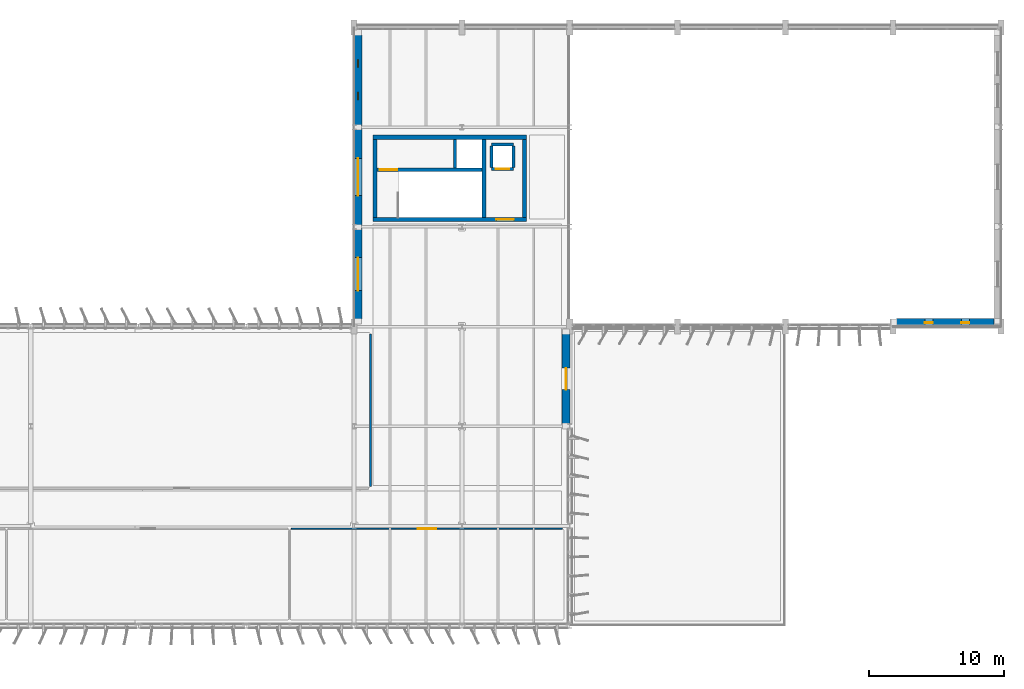
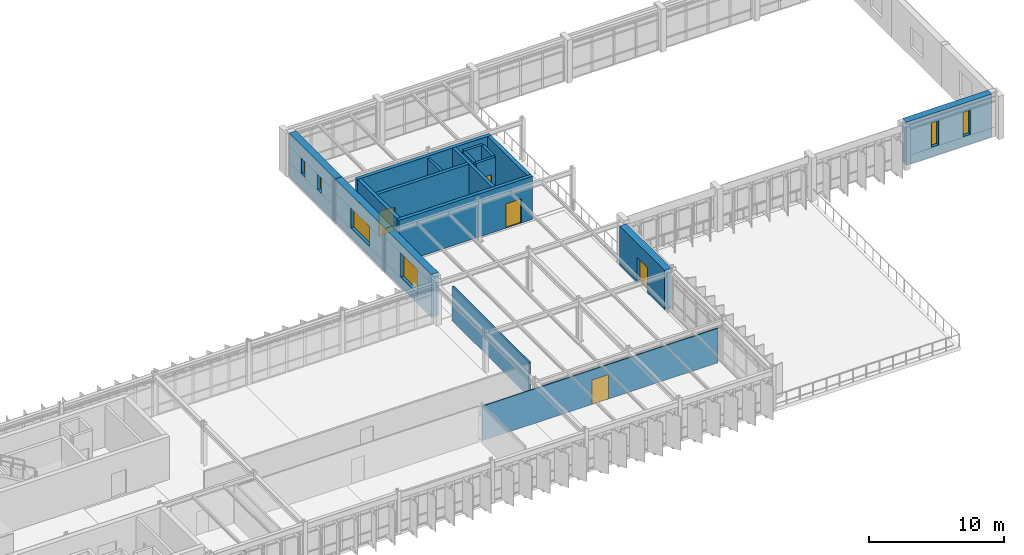
# One storey, part 34 of 45: 18 walls, 6 windows, 5 doors, 11 openings.
"""IFC4 building model written with IfcOpenShell, lengths in metres."""

import ifcopenshell
import ifcopenshell.guid

model = None  # the IFC model being written
_history = None  # IfcOwnerHistory: only IFC2X3 demands one
_inside = {}  # id of a spatial element -> (the spatial element, [elements in it])
_under = {}  # id of a project, library or spatial element -> (it, [spatial elements below it])
_declared = {}  # id of a project -> (the project, [libraries it declares])
_typed = {}  # id of a type object -> (the type object, [elements of that type])
_made_of = {}  # id of a material, layer set ... -> (it, [elements and type objects made of it])


def new_model(schema):
    """Start an empty IFC model of exactly this schema.

    Asked for "IFC4X3", IfcOpenShell would pick the latest addendum, in which some entities
    have other attributes; the version numbers below select the first issue.
    IFC2X3 requires an IfcOwnerHistory on every rooted entity: one is made here for all.
    """
    global model, _history
    if schema == "IFC4X3":
        model = ifcopenshell.file(schema_version=(4, 3, 0, 0))
    else:
        model = ifcopenshell.file(schema=schema)
    _inside.clear()
    _under.clear()
    _declared.clear()
    _typed.clear()
    _made_of.clear()
    _history = None
    if model.schema == "IFC2X3":
        org = make("IfcOrganization", Name="unknown")
        user = make(
            "IfcPersonAndOrganization",
            ThePerson=make("IfcPerson", FamilyName="unknown"),
            TheOrganization=org,
        )
        app = make(
            "IfcApplication",
            ApplicationDeveloper=org,
            Version="unknown",
            ApplicationFullName="unknown",
            ApplicationIdentifier="unknown",
        )
        _history = make(
            "IfcOwnerHistory",
            OwningUser=user,
            OwningApplication=app,
            ChangeAction="ADDED",
            CreationDate=0,
        )
    return model


def make(cls, **values):
    """One entity of the class cls with the attributes given. An attribute that is None is left unset."""
    return model.create_entity(
        cls, **{name: value for name, value in values.items() if value is not None}
    )


def rooted(cls, **values):
    """An entity with a GlobalId (a new one), such as an element, a storey or a relation."""
    return make(cls, GlobalId=ifcopenshell.guid.new(), OwnerHistory=_history, **values)


def si_unit(unit_type, name, prefix=None):
    """IfcSIUnit, for example si_unit("LENGTHUNIT", "METRE", prefix="MILLI")."""
    return make("IfcSIUnit", UnitType=unit_type, Prefix=prefix, Name=name)


def assignment(units):
    """IfcUnitAssignment: the units of a project."""
    return None if units is None else make("IfcUnitAssignment", Units=units)


def point(xyz):
    """IfcCartesianPoint."""
    return None if xyz is None else make("IfcCartesianPoint", Coordinates=xyz)


def direction(xyz):
    """IfcDirection."""
    return None if xyz is None else make("IfcDirection", DirectionRatios=xyz)


def frame(location, z_axis=None, x_axis=None):
    """IfcAxis2Placement3D, a coordinate frame: its origin and axes. An axis left out is left unset."""
    return make(
        "IfcAxis2Placement3D",
        Location=point(location),
        Axis=direction(z_axis),
        RefDirection=direction(x_axis),
    )


def frame_2d(location, x_axis=None):
    """IfcAxis2Placement2D, a coordinate frame in the plane: its origin and x axis."""
    return make(
        "IfcAxis2Placement2D", Location=point(location), RefDirection=direction(x_axis)
    )


def origin():
    """The frame at (0, 0, 0) with its axes left unset."""
    return frame((0.0, 0.0, 0.0))


def place(relative_to, where):
    """IfcLocalPlacement: puts the frame where relative to a parent placement (None: the world)."""
    return make(
        "IfcLocalPlacement", PlacementRelTo=relative_to, RelativePlacement=where
    )


def context(
    kind, dimensions, precision=None, world=None, true_north=None, identifier=None
):
    """IfcGeometricRepresentationContext, for example the 3D "Model" context."""
    return make(
        "IfcGeometricRepresentationContext",
        ContextIdentifier=identifier,
        ContextType=kind,
        CoordinateSpaceDimension=dimensions,
        Precision=precision,
        WorldCoordinateSystem=world,
        TrueNorth=true_north,
    )


def subcontext(parent, identifier, kind, view, scale=None):
    """IfcGeometricRepresentationSubContext, for example "Body" below "Model"."""
    return make(
        "IfcGeometricRepresentationSubContext",
        ContextIdentifier=identifier,
        ContextType=kind,
        ParentContext=parent,
        TargetScale=scale,
        TargetView=view,
    )


def project(units=None, contexts=None):
    """IfcProject with its units and contexts."""
    return rooted(
        "IfcProject",
        Name="project",
        RepresentationContexts=contexts,
        UnitsInContext=assignment(units),
    )


def spatial(cls, under=None, at=None, **own):
    """A site, building, storey or space (cls), placed at a placement, below another one or the project."""
    s = rooted(cls, ObjectPlacement=at, **own)
    if under is not None:
        _under.setdefault(under.id(), (under, []))[1].append(s)
    return s


def profile(cls, at=None, kind="AREA", **sizes):
    """A parametric profile (cls). Its sizes go by their IFC names, for example OverallWidth=200.0."""
    return make(cls, ProfileType=kind, Position=at, **sizes)


def rectangle(**sizes):
    """IfcRectangleProfileDef."""
    return profile("IfcRectangleProfileDef", **sizes)


def extrude(swept, where, along, depth):
    """IfcExtrudedAreaSolid: the profile swept, set in the frame where, extruded along a direction by depth."""
    return make(
        "IfcExtrudedAreaSolid",
        SweptArea=swept,
        Position=where,
        ExtrudedDirection=direction(along),
        Depth=depth,
    )


def shape(context_of_items, identifier, shape_type, items):
    """IfcShapeRepresentation: the items that make up one representation, for example the "Body"."""
    return make(
        "IfcShapeRepresentation",
        ContextOfItems=context_of_items,
        RepresentationIdentifier=identifier,
        RepresentationType=shape_type,
        Items=items,
    )


def material(Name=None, Category=None):
    """IfcMaterial."""
    return make("IfcMaterial", Name=Name, Category=Category)


def layer(
    of_material, thickness, ventilated=None, Name=None, Category=None, Priority=None
):
    """IfcMaterialLayer: one layer of a wall or slab, of a material (None: an air gap)."""
    return make(
        "IfcMaterialLayer",
        Material=of_material,
        LayerThickness=thickness,
        IsVentilated=ventilated,
        Name=Name,
        Category=Category,
        Priority=Priority,
    )


def layer_set(layers, Name=None):
    """IfcMaterialLayerSet."""
    return make("IfcMaterialLayerSet", MaterialLayers=layers, LayerSetName=Name)


def made_of(thing, what):
    """Note that an element or type object is made of a material, layer set ...; save() writes the relation."""
    if what is not None:
        _made_of.setdefault(what.id(), (what, []))[1].append(thing)
    return thing


def type_object(cls, material=None, **own):
    """A type object (cls), such as IfcWallType, which elements share."""
    return made_of(rooted(cls, **own), material)


def element(
    cls,
    number,
    at=None,
    inside=None,
    cuts=None,
    type_object=None,
    material=None,
    context=None,
    identifier="Body",
    shape_type=None,
    held_by="IfcProductDefinitionShape",
    body=None,
    shapes=None,
    **own,
):
    """One element of the class cls, such as IfcWall. Its Tag is "e" and its number.

    at: its placement. inside: the storey or other place that contains it. cuts: it is an
    opening in that element (IfcRelVoidsElement). A single representation is given by context,
    identifier, shape_type and body (its items); several are given by shapes. held_by: the class
    of the entity that holds the representations. save() writes the other relations.
    """
    e = rooted(cls, Tag="e%d" % number, ObjectPlacement=at, **own)
    if body is not None:
        shapes = [shape(context, identifier, shape_type, body)]
    if shapes is not None:
        e.Representation = make(held_by, Representations=shapes)
    if inside is not None:
        _inside.setdefault(inside.id(), (inside, []))[1].append(e)
    if cuts is not None:
        rooted(
            "IfcRelVoidsElement", RelatingBuildingElement=cuts, RelatedOpeningElement=e
        )
    if type_object is not None:
        _typed.setdefault(type_object.id(), (type_object, []))[1].append(e)
    return made_of(e, material)


def fill(opening, filler):
    """IfcRelFillsElement: the door or window that sits in an opening."""
    return rooted(
        "IfcRelFillsElement",
        RelatingOpeningElement=opening,
        RelatedBuildingElement=filler,
    )


def aggregate(whole, parts):
    """IfcRelAggregates: a whole, such as a stair, and the parts it consists of."""
    return rooted("IfcRelAggregates", RelatingObject=whole, RelatedObjects=parts)


def save(model, path):
    """Write the relations noted so far, then the file.

    IfcRelAggregates (storeys below a building ...), IfcRelContainedInSpatialStructure (elements
    in a storey), IfcRelDefinesByType, IfcRelAssociatesMaterial and IfcRelDeclares: one each for
    every whole, place, type object, material and project.
    """
    for whole, parts in _under.values():
        aggregate(whole, parts)
    for where, things in _inside.values():
        rooted(
            "IfcRelContainedInSpatialStructure",
            RelatedElements=things,
            RelatingStructure=where,
        )
    for kind, things in _typed.values():
        rooted("IfcRelDefinesByType", RelatedObjects=things, RelatingType=kind)
    for what, things in _made_of.values():
        rooted("IfcRelAssociatesMaterial", RelatedObjects=things, RelatingMaterial=what)
    for by, libraries in _declared.values():
        rooted("IfcRelDeclares", RelatingContext=by, RelatedDefinitions=libraries)
    model.write(path)


model = new_model("IFC4")

# Units and contexts
model_context = context("Model", 3, precision=1e-05, world=origin(), true_north=direction((0.0, 1.0)))
body_context = subcontext(model_context, "Body", "Model", "MODEL_VIEW")
ifc_project = project(units=[si_unit("LENGTHUNIT", "METRE"), si_unit("AREAUNIT", "SQUARE_METRE"), si_unit("VOLUMEUNIT", "CUBIC_METRE"), si_unit("PLANEANGLEUNIT", "RADIAN"), si_unit("MASSUNIT", "GRAM", prefix="KILO")], contexts=[model_context])

# Site, building, storey
site_placement = place(None, origin())
site = spatial("IfcSite", under=ifc_project, at=site_placement, CompositionType="ELEMENT")
building_placement = place(site_placement, origin())
building = spatial("IfcBuilding", under=site, at=building_placement, Name="Valkorina Park Police Headquarters", CompositionType="ELEMENT")
storey_placement = place(building_placement, frame((0.0, 0.0, 23.300048828125)))
storey = spatial("IfcBuildingStorey", under=building, at=storey_placement, Name="L06", CompositionType="ELEMENT", Elevation=23.300048828125)

# Wall
ifc_material_1 = material(Name="Acoustic mineral board")
ifc_layer_1 = layer(ifc_material_1, 0.14990234375)
ifc_layer_set_1 = layer_set([ifc_layer_1], Name="Acoustic mineral board")
wall_type_1 = type_object("IfcWallType", Name="WL-ACOUST-150-EI30", PredefinedType="PARTITIONING", material=ifc_layer_set_1)
wall_1_placement = place(storey_placement, frame((82.0, 47.340087890625, 0.0), z_axis=(0.0, 0.0, 1.0), x_axis=(0.0, 1.0, 0.0)))
element("IfcWall", 1, at=wall_1_placement, inside=storey, type_object=wall_type_1, Name="L06 Interior Partition 0256 (L06-MAJ-06)", PredefinedType="PARTITIONING", context=body_context, shape_type="SweptSolid", body=[
    extrude(rectangle(XDim=11.31982421875, YDim=0.14990234375, at=frame_2d((5.659912109375, 0.0))), origin(), (0.0, 0.0, 1.0), 3.099853515625),
])

# Wall, opening, door
ifc_material_2 = material(Name="Autoclaved aerated concrete masonry", Category="masonry")
ifc_layer_2 = layer(ifc_material_2, 0.219970703125)
ifc_layer_set_2 = layer_set([ifc_layer_2], Name="Autoclaved aerated concrete masonry")
wall_type_2 = type_object("IfcWallType", Name="WL-CHASE-220-EI60", PredefinedType="PLUMBINGWALL", material=ifc_layer_set_2)
wall_2_placement = place(storey_placement, frame((90.989990234375, 70.889892578125, 0.0), z_axis=(0.0, 0.0, 1.0), x_axis=(1.0, 0.0, 0.0)))
wall_2 = element("IfcWall", 2, at=wall_2_placement, inside=storey, type_object=wall_type_2, Name="Lift LF-08 L06 Shaft Front Wall", PredefinedType="PLUMBINGWALL", context=body_context, shape_type="SweptSolid", body=[
    extrude(rectangle(XDim=1.6201171875, YDim=0.219970703125, at=frame_2d((0.81005859375, 0.0))), origin(), (0.0, 0.0, 1.0), 3.679931640625),
])
opening_1_placement = place(wall_2_placement, frame((0.31005859375, 0.0, 0.0)))
opening_1 = element("IfcOpeningElement", 3, at=opening_1_placement, cuts=wall_2, Name="Opening LD-02", PredefinedType="OPENING", context=body_context, shape_type="SweptSolid", body=[
    extrude(rectangle(XDim=1.0, YDim=2.199951171875, at=frame_2d((0.5, 1.10009765625))), frame((0.0, 0.1201171875, 0.0), z_axis=(0.0, -1.0, 0.0), x_axis=(1.0, 0.0, 0.0)), (0.0, 0.0, 1.0), 0.239990234375),
])
ifc_material_3 = material(Name="Stainless steel EN 1.4404", Category="steel")
ifc_layer_3 = layer(ifc_material_3, 0.050048828125)
ifc_layer_set_3 = layer_set([ifc_layer_3], Name="Stainless steel EN 1.4404")
door_type_1 = type_object("IfcDoorType", Name="DR-LIFT-PAX-1000x2200", OperationType="NOTDEFINED", PredefinedType="DOOR", material=ifc_layer_set_3)
door_1_placement = place(opening_1_placement, origin())
door_1 = element("IfcDoor", 4, at=door_1_placement, inside=storey, type_object=door_type_1, Name="Lift Landing Door LF-08-L06", OperationType="DOUBLE_DOOR_SLIDING", OverallHeight=2.199951171875, OverallWidth=1.0, PredefinedType="DOOR", context=body_context, shape_type="SweptSolid", body=[
    extrude(rectangle(XDim=1.0, YDim=2.199951171875, at=frame_2d((0.5, 1.10009765625))), frame((0.0, 0.02490234375, 0.0), z_axis=(0.0, -1.0, 0.0), x_axis=(1.0, 0.0, 0.0)), (0.0, 0.0, 1.0), 0.050048828125),
])
fill(opening_1, door_1)

# Walls
wall_3_placement = place(storey_placement, frame((90.989990234375, 72.7099609375, 0.0), z_axis=(0.0, 0.0, 1.0), x_axis=(1.0, 0.0, 0.0)))
element("IfcWall", 5, at=wall_3_placement, inside=storey, type_object=wall_type_2, Name="Lift LF-08 L06 Shaft Back Wall", PredefinedType="PLUMBINGWALL", context=body_context, shape_type="SweptSolid", body=[
    extrude(rectangle(XDim=1.6201171875, YDim=0.219970703125, at=frame_2d((0.81005859375, 0.0))), origin(), (0.0, 0.0, 1.0), 3.679931640625),
])
for number, where, z_axis, x_axis, name in (
    (6, (90.989990234375, 71.0, 0.0), (0.0, 0.0, 1.0), (0.0, 1.0, 0.0), "Lift LF-08 L06 Shaft Side Wall W"),
    (7, (92.610107421875, 71.0, 0.0), (0.0, 0.0, 1.0), (0.0, 1.0, 0.0), "Lift LF-08 L06 Shaft Side Wall E"),
):
    element("IfcWall", number, at=place(storey_placement, frame(where, z_axis=z_axis, x_axis=x_axis)), inside=storey, type_object=wall_type_2, Name=name, PredefinedType="PLUMBINGWALL", context=body_context, shape_type="SweptSolid", body=[
        extrude(rectangle(XDim=1.60009765625, YDim=0.219970703125, at=frame_2d((0.800048828125, 0.0))), origin(), (0.0, 0.0, 1.0), 3.679931640625),
    ])
wall_4_placement = place(storey_placement, frame((88.2900390625, 70.97998046875, 0.0), z_axis=(0.0, 0.0, 1.0), x_axis=(0.0, 1.0, 0.0)))
element("IfcWall", 8, at=wall_4_placement, inside=storey, type_object=wall_type_2, Name="Core C6 L06 Riser Shaft West Wall", PredefinedType="PLUMBINGWALL", context=body_context, shape_type="SweptSolid", body=[
    extrude(rectangle(XDim=2.1201171875, YDim=0.219970703125, at=frame_2d((1.06005859375, 0.0))), origin(), (0.0, 0.0, 1.0), 3.679931640625),
])

# Wall, opening, door
ifc_material_4 = material(Name="Concrete C40/50", Category="concrete")
ifc_layer_4 = layer(ifc_material_4, 0.300048828125)
ifc_layer_set_4 = layer_set([ifc_layer_4], Name="Concrete C40/50")
wall_type_3 = type_object("IfcWallType", Name="WL-CORE-300-REI120", PredefinedType="SHEAR", material=ifc_layer_set_4)
wall_5_placement = place(storey_placement, frame((82.199951171875, 67.14990234375, 0.0), z_axis=(0.0, 0.0, 1.0), x_axis=(1.0, 0.0, 0.0)))
wall_5 = element("IfcWall", 9, at=wall_5_placement, inside=storey, type_object=wall_type_3, Name="Core C6 L06 Shear Wall S", PredefinedType="SHEAR", context=body_context, shape_type="SweptSolid", body=[
    extrude(rectangle(XDim=11.400146484375, YDim=0.300048828125, at=frame_2d((5.7001953125, 0.0))), origin(), (0.0, 0.0, 1.0), 3.89501953125),
])
opening_2_placement = place(wall_5_placement, frame((9.14990234375, 0.0, 0.0)))
opening_2 = element("IfcOpeningElement", 10, at=opening_2_placement, cuts=wall_5, Name="Opening FD-03", PredefinedType="OPENING", context=body_context, shape_type="SweptSolid", body=[
    extrude(rectangle(XDim=1.300048828125, YDim=2.199951171875, at=frame_2d((0.64990234375, 1.10009765625))), frame((0.0, 0.16015625, 0.0), z_axis=(0.0, -1.0, 0.0), x_axis=(1.0, 0.0, 0.0)), (0.0, 0.0, 1.0), 0.320068359375),
])
ifc_material_5 = material(Name="Galvanized steel door leaf", Category="steel")
ifc_layer_5 = layer(ifc_material_5, 0.050048828125)
ifc_layer_set_5 = layer_set([ifc_layer_5], Name="Galvanized steel door leaf")
door_type_2 = type_object("IfcDoorType", Name="DR-FIRE-STAIR-1300x2200", OperationType="NOTDEFINED", PredefinedType="DOOR", material=ifc_layer_set_5)
door_2_placement = place(opening_2_placement, origin())
door_2 = element("IfcDoor", 11, at=door_2_placement, inside=storey, type_object=door_type_2, Name="Door D-L06-LBY-C6 (Core C6 Lobby Fire Door)", OperationType="SINGLE_SWING_RIGHT", OverallHeight=2.199951171875, OverallWidth=1.300048828125, PredefinedType="DOOR", context=body_context, shape_type="SweptSolid", body=[
    extrude(rectangle(XDim=1.300048828125, YDim=2.199951171875, at=frame_2d((0.64990234375, 1.10009765625))), frame((0.0, 0.02490234375, 0.0), z_axis=(0.0, -1.0, 0.0), x_axis=(1.0, 0.0, 0.0)), (0.0, 0.0, 1.0), 0.050048828125),
])
fill(opening_2, door_2)

# Walls
wall_6_placement = place(storey_placement, frame((82.199951171875, 73.25, 0.0), z_axis=(0.0, 0.0, 1.0), x_axis=(1.0, 0.0, 0.0)))
element("IfcWall", 12, at=wall_6_placement, inside=storey, type_object=wall_type_3, Name="Core C6 L06 Shear Wall N", PredefinedType="SHEAR", context=body_context, shape_type="SweptSolid", body=[
    extrude(rectangle(XDim=11.400146484375, YDim=0.300048828125, at=frame_2d((5.7001953125, 0.0))), origin(), (0.0, 0.0, 1.0), 3.89501953125),
])
for number, where, z_axis, x_axis, name in (
    (13, (82.35009765625, 67.300048828125, 0.0), (0.0, 0.0, 1.0), (0.0, 1.0, 0.0), "Core C6 L06 Shear Wall W"),
    (14, (93.449951171875, 67.300048828125, 0.0), (0.0, 0.0, 1.0), (0.0, 1.0, 0.0), "Core C6 L06 Shear Wall E"),
):
    element("IfcWall", number, at=place(storey_placement, frame(where, z_axis=z_axis, x_axis=x_axis)), inside=storey, type_object=wall_type_3, Name=name, PredefinedType="SHEAR", context=body_context, shape_type="SweptSolid", body=[
        extrude(rectangle(XDim=5.800048828125, YDim=0.300048828125, at=frame_2d((2.89990234375, 0.0))), origin(), (0.0, 0.0, 1.0), 3.89501953125),
    ])

# Wall, opening, window
ifc_material_6 = material(Name="Concrete C35/45", Category="concrete")
ifc_layer_6 = layer(ifc_material_6, 0.580078125)
ifc_layer_set_6 = layer_set([ifc_layer_6], Name="Concrete C35/45")
wall_type_4 = type_object("IfcWallType", Name="WL-EXT-BOARD-580", PredefinedType="STANDARD", material=ifc_layer_set_6)
wall_7_placement = place(storey_placement, frame((81.090087890625, 59.760009765625, 0.0), z_axis=(0.0, 0.0, 1.0), x_axis=(0.0, 1.0, 0.0)))
wall_7 = element("IfcWall", 15, at=wall_7_placement, inside=storey, type_object=wall_type_4, Name="L06 Architectural Concrete Exterior Wall 0268", PredefinedType="STANDARD", context=body_context, shape_type="SweptSolid", body=[
    extrude(rectangle(XDim=6.840087890625, YDim=0.580078125, at=frame_2d((3.419921875, 0.0))), origin(), (0.0, 0.0, 1.0), 3.89990234375),
])
opening_3_placement = place(wall_7_placement, frame((2.10009765625, 0.0, 0.89990234375)))
opening_3 = element("IfcOpeningElement", 16, at=opening_3_placement, cuts=wall_7, Name="Opening WN-34", PredefinedType="OPENING", context=body_context, shape_type="SweptSolid", body=[
    extrude(rectangle(XDim=2.449951171875, YDim=2.199951171875, at=frame_2d((1.22509765625, 1.10009765625))), frame((0.0, 0.300048828125, 0.0), z_axis=(0.0, -1.0, 0.0), x_axis=(1.0, 0.0, 0.0)), (0.0, 0.0, 1.0), 0.60009765625),
])
ifc_material_7 = material(Name="Triple low-E insulated glazing", Category="glass")
ifc_layer_7 = layer(ifc_material_7, 0.06005859375)
ifc_layer_set_7 = layer_set([ifc_layer_7], Name="Triple low-E insulated glazing")
window_type_1 = type_object("IfcWindowType", Name="WN-HALL-2450x2200", PartitioningType="SINGLE_PANEL", PredefinedType="WINDOW", material=ifc_layer_set_7)
window_1_placement = place(opening_3_placement, origin())
window_1 = element("IfcWindow", 17, at=window_1_placement, inside=storey, type_object=window_type_1, Name="Window L06-0454", OverallHeight=2.199951171875, OverallWidth=2.449951171875, PartitioningType="SINGLE_PANEL", PredefinedType="WINDOW", context=body_context, shape_type="SweptSolid", body=[
    extrude(rectangle(XDim=2.449951171875, YDim=2.199951171875, at=frame_2d((1.22509765625, 1.10009765625))), frame((0.0, 0.030029296875, 0.0), z_axis=(0.0, -1.0, 0.0), x_axis=(1.0, 0.0, 0.0)), (0.0, 0.0, 1.0), 0.06005859375),
])
fill(opening_3, window_1)

wall_8_placement = place(storey_placement, frame((81.090087890625, 66.60009765625, 0.0), z_axis=(0.0, 0.0, 1.0), x_axis=(0.0, 1.0, 0.0)))
wall_8 = element("IfcWall", 18, at=wall_8_placement, inside=storey, type_object=wall_type_4, Name="L06 Architectural Concrete Exterior Wall 0269", PredefinedType="STANDARD", context=body_context, shape_type="SweptSolid", body=[
    extrude(rectangle(XDim=7.39990234375, YDim=0.580078125, at=frame_2d((3.699951171875, 0.0))), origin(), (0.0, 0.0, 1.0), 3.89990234375),
])
opening_4_placement = place(wall_8_placement, frame((2.324951171875, 0.0, 0.89990234375)))
opening_4 = element("IfcOpeningElement", 19, at=opening_4_placement, cuts=wall_8, Name="Opening WN-36", PredefinedType="OPENING", context=body_context, shape_type="SweptSolid", body=[
    extrude(rectangle(XDim=2.75, YDim=1.800048828125, at=frame_2d((1.375, 0.89990234375))), frame((0.0, 0.300048828125, 0.0), z_axis=(0.0, -1.0, 0.0), x_axis=(1.0, 0.0, 0.0)), (0.0, 0.0, 1.0), 0.60009765625),
])
ifc_layer_8 = layer(ifc_material_7, 0.06005859375)
ifc_layer_set_8 = layer_set([ifc_layer_8], Name="Triple low-E insulated glazing")
window_type_2 = type_object("IfcWindowType", Name="WN-CMD-2750x1800", PartitioningType="SINGLE_PANEL", PredefinedType="WINDOW", material=ifc_layer_set_8)
window_2_placement = place(opening_4_placement, origin())
window_2 = element("IfcWindow", 20, at=window_2_placement, inside=storey, type_object=window_type_2, Name="Window L06-0455", OverallHeight=1.800048828125, OverallWidth=2.75, PartitioningType="SINGLE_PANEL", PredefinedType="WINDOW", context=body_context, shape_type="SweptSolid", body=[
    extrude(rectangle(XDim=2.75, YDim=1.800048828125, at=frame_2d((1.375, 0.89990234375))), frame((0.0, 0.030029296875, 0.0), z_axis=(0.0, -1.0, 0.0), x_axis=(1.0, 0.0, 0.0)), (0.0, 0.0, 1.0), 0.06005859375),
])
fill(opening_4, window_2)

# Wall, openings, windows
wall_9_placement = place(storey_placement, frame((81.090087890625, 74.0, 0.0), z_axis=(0.0, 0.0, 1.0), x_axis=(0.0, 1.0, 0.0)))
wall_9 = element("IfcWall", 21, at=wall_9_placement, inside=storey, type_object=wall_type_4, Name="L06 Architectural Concrete Exterior Wall 0270", PredefinedType="STANDARD", context=body_context, shape_type="SweptSolid", body=[
    extrude(rectangle(XDim=6.840087890625, YDim=0.580078125, at=frame_2d((3.419921875, 0.0))), origin(), (0.0, 0.0, 1.0), 3.89990234375),
])
opening_5_placement = place(wall_9_placement, frame((2.04296875, 0.0, 1.35009765625)))
opening_5 = element("IfcOpeningElement", 22, at=opening_5_placement, cuts=wall_9, Name="Opening WN-01", PredefinedType="OPENING", context=body_context, shape_type="SweptSolid", body=[
    extrude(rectangle(XDim=0.550048828125, YDim=1.39990234375, at=frame_2d((0.27490234375, 0.699951171875))), frame((0.0, 0.300048828125, 0.0), z_axis=(0.0, -1.0, 0.0), x_axis=(1.0, 0.0, 0.0)), (0.0, 0.0, 1.0), 0.60009765625),
])
opening_6_placement = place(wall_9_placement, frame((4.43701171875, 0.0, 1.35009765625)))
opening_6 = element("IfcOpeningElement", 23, at=opening_6_placement, cuts=wall_9, Name="Opening WN-01", PredefinedType="OPENING", context=body_context, shape_type="SweptSolid", body=[
    extrude(rectangle(XDim=0.550048828125, YDim=1.39990234375, at=frame_2d((0.27490234375, 0.699951171875))), frame((0.0, 0.300048828125, 0.0), z_axis=(0.0, -1.0, 0.0), x_axis=(1.0, 0.0, 0.0)), (0.0, 0.0, 1.0), 0.60009765625),
])
ifc_layer_9 = layer(ifc_material_7, 0.06005859375)
ifc_layer_set_9 = layer_set([ifc_layer_9], Name="Triple low-E insulated glazing")
window_type_3 = type_object("IfcWindowType", Name="WN-SLOT-550x1400", PartitioningType="SINGLE_PANEL", PredefinedType="WINDOW", material=ifc_layer_set_9)
window_3_placement = place(opening_5_placement, origin())
window_3 = element("IfcWindow", 24, at=window_3_placement, inside=storey, type_object=window_type_3, Name="Window L06-0456", OverallHeight=1.39990234375, OverallWidth=0.550048828125, PartitioningType="SINGLE_PANEL", PredefinedType="WINDOW", context=body_context, shape_type="SweptSolid", body=[
    extrude(rectangle(XDim=0.550048828125, YDim=1.39990234375, at=frame_2d((0.27490234375, 0.699951171875))), frame((0.0, 0.030029296875, 0.0), z_axis=(0.0, -1.0, 0.0), x_axis=(1.0, 0.0, 0.0)), (0.0, 0.0, 1.0), 0.06005859375),
])
fill(opening_5, window_3)
window_4_placement = place(opening_6_placement, origin())
window_4 = element("IfcWindow", 25, at=window_4_placement, inside=storey, type_object=window_type_3, Name="Window L06-0457", OverallHeight=1.39990234375, OverallWidth=0.550048828125, PartitioningType="SINGLE_PANEL", PredefinedType="WINDOW", context=body_context, shape_type="SweptSolid", body=[
    extrude(rectangle(XDim=0.550048828125, YDim=1.39990234375, at=frame_2d((0.27490234375, 0.699951171875))), frame((0.0, 0.030029296875, 0.0), z_axis=(0.0, -1.0, 0.0), x_axis=(1.0, 0.0, 0.0)), (0.0, 0.0, 1.0), 0.06005859375),
])
fill(opening_6, window_4)

wall_10_placement = place(storey_placement, frame((128.300048828125, 59.489990234375, 0.0), z_axis=(0.0, 0.0, 1.0), x_axis=(-1.0, 0.0, 0.0)))
wall_10 = element("IfcWall", 26, at=wall_10_placement, inside=storey, type_object=wall_type_4, Name="L06 Architectural Concrete Exterior Wall 0274", PredefinedType="STANDARD", context=body_context, shape_type="SweptSolid", body=[
    extrude(rectangle(XDim=7.26513671875, YDim=0.580078125, at=frame_2d((3.632568359375, 0.0))), origin(), (0.0, 0.0, 1.0), 3.89990234375),
])
opening_7_placement = place(wall_10_placement, frame((1.844482421875, 0.0, 0.89990234375)))
opening_7 = element("IfcOpeningElement", 27, at=opening_7_placement, cuts=wall_10, Name="Opening WN-05", PredefinedType="OPENING", context=body_context, shape_type="SweptSolid", body=[
    extrude(rectangle(XDim=0.60009765625, YDim=2.199951171875, at=frame_2d((0.300048828125, 1.10009765625))), frame((0.0, 0.300048828125, 0.0), z_axis=(0.0, -1.0, 0.0), x_axis=(1.0, 0.0, 0.0)), (0.0, 0.0, 1.0), 0.60009765625),
])
opening_8_placement = place(wall_10_placement, frame((4.555419921875, 0.0, 0.89990234375)))
opening_8 = element("IfcOpeningElement", 28, at=opening_8_placement, cuts=wall_10, Name="Opening WN-05", PredefinedType="OPENING", context=body_context, shape_type="SweptSolid", body=[
    extrude(rectangle(XDim=0.60009765625, YDim=2.199951171875, at=frame_2d((0.300048828125, 1.10009765625))), frame((0.0, 0.300048828125, 0.0), z_axis=(0.0, -1.0, 0.0), x_axis=(1.0, 0.0, 0.0)), (0.0, 0.0, 1.0), 0.60009765625),
])
ifc_layer_10 = layer(ifc_material_7, 0.06005859375)
ifc_layer_set_10 = layer_set([ifc_layer_10], Name="Triple low-E insulated glazing")
window_type_4 = type_object("IfcWindowType", Name="WN-SLOT-600x2200", PartitioningType="SINGLE_PANEL", PredefinedType="WINDOW", material=ifc_layer_set_10)
window_5_placement = place(opening_7_placement, origin())
window_5 = element("IfcWindow", 29, at=window_5_placement, inside=storey, type_object=window_type_4, Name="Window L06-0462", OverallHeight=2.199951171875, OverallWidth=0.60009765625, PartitioningType="SINGLE_PANEL", PredefinedType="WINDOW", context=body_context, shape_type="SweptSolid", body=[
    extrude(rectangle(XDim=0.60009765625, YDim=2.199951171875, at=frame_2d((0.300048828125, 1.10009765625))), frame((0.0, 0.030029296875, 0.0), z_axis=(0.0, -1.0, 0.0), x_axis=(1.0, 0.0, 0.0)), (0.0, 0.0, 1.0), 0.06005859375),
])
fill(opening_7, window_5)
window_6_placement = place(opening_8_placement, origin())
window_6 = element("IfcWindow", 30, at=window_6_placement, inside=storey, type_object=window_type_4, Name="Window L06-0463", OverallHeight=2.199951171875, OverallWidth=0.60009765625, PartitioningType="SINGLE_PANEL", PredefinedType="WINDOW", context=body_context, shape_type="SweptSolid", body=[
    extrude(rectangle(XDim=0.60009765625, YDim=2.199951171875, at=frame_2d((0.300048828125, 1.10009765625))), frame((0.0, 0.030029296875, 0.0), z_axis=(0.0, -1.0, 0.0), x_axis=(1.0, 0.0, 0.0)), (0.0, 0.0, 1.0), 0.06005859375),
])
fill(opening_8, window_6)

# Wall, opening, door
wall_11_placement = place(storey_placement, frame((96.510009765625, 58.639892578125, 0.0), z_axis=(0.0, 0.0, 1.0), x_axis=(0.0, -1.0, 0.0)))
wall_11 = element("IfcWall", 31, at=wall_11_placement, inside=storey, type_object=wall_type_4, Name="L06 Architectural Concrete Exterior Wall 0275", PredefinedType="STANDARD", context=body_context, shape_type="SweptSolid", body=[
    extrude(rectangle(XDim=6.64990234375, YDim=0.580078125, at=frame_2d((3.324951171875, 0.0))), origin(), (0.0, 0.0, 1.0), 3.570068359375),
])
opening_9_placement = place(wall_11_placement, frame((2.52490234375, 0.0, 0.0)))
opening_9 = element("IfcOpeningElement", 32, at=opening_9_placement, cuts=wall_11, Name="Opening ED-05", PredefinedType="OPENING", context=body_context, shape_type="SweptSolid", body=[
    extrude(rectangle(XDim=1.60009765625, YDim=2.300048828125, at=frame_2d((0.800048828125, 1.14990234375))), frame((0.0, 0.300048828125, 0.0), z_axis=(0.0, -1.0, 0.0), x_axis=(1.0, 0.0, 0.0)), (0.0, 0.0, 1.0), 0.60009765625),
])
ifc_material_8 = material(Name="Thermally broken aluminium AW-6060", Category="aluminium")
ifc_layer_11 = layer(ifc_material_8, 0.050048828125)
ifc_layer_set_11 = layer_set([ifc_layer_11], Name="Thermally broken aluminium AW-6060")
door_type_3 = type_object("IfcDoorType", Name="DR-EXT-TERR-1600x2300", OperationType="NOTDEFINED", PredefinedType="DOOR", material=ifc_layer_set_11)
door_3_placement = place(opening_9_placement, origin())
door_3 = element("IfcDoor", 33, at=door_3_placement, inside=storey, type_object=door_type_3, Name="Door D-L06-023 (TERR-L06-EAST Terrace Door)", OperationType="DOUBLE_DOOR_SINGLE_SWING", OverallHeight=2.300048828125, OverallWidth=1.60009765625, PredefinedType="DOOR", context=body_context, shape_type="SweptSolid", body=[
    extrude(rectangle(XDim=1.60009765625, YDim=2.300048828125, at=frame_2d((0.800048828125, 1.14990234375))), frame((0.0, 0.02490234375, 0.0), z_axis=(0.0, -1.0, 0.0), x_axis=(1.0, 0.0, 0.0)), (0.0, 0.0, 1.0), 0.050048828125),
])
fill(opening_9, door_3)

ifc_material_9 = material(Name="Gypsum plasterboard")
ifc_layer_12 = layer(ifc_material_9, 0.10009765625)
ifc_layer_set_12 = layer_set([ifc_layer_12], Name="Gypsum plasterboard")
wall_type_5 = type_object("IfcWallType", Name="WL-PART-100", PredefinedType="PARTITIONING", material=ifc_layer_set_12)
wall_12_placement = place(storey_placement, frame((76.139892578125, 44.199951171875, 0.0), z_axis=(0.0, 0.0, 1.0), x_axis=(1.0, 0.0, 0.0)))
wall_12 = element("IfcWall", 34, at=wall_12_placement, inside=storey, type_object=wall_type_5, Name="L06 Interior Partition 0257 (L06-MAJ-07)", PredefinedType="PARTITIONING", context=body_context, shape_type="SweptSolid", body=[
    extrude(rectangle(XDim=20.1201171875, YDim=0.10009765625, at=frame_2d((10.06005859375, 0.0))), origin(), (0.0, 0.0, 1.0), 3.099853515625),
])
opening_10_placement = place(wall_12_placement, frame((9.360107421875, 0.0, 0.0)))
opening_10 = element("IfcOpeningElement", 35, at=opening_10_placement, cuts=wall_12, Name="Opening ID-07", PredefinedType="OPENING", context=body_context, shape_type="SweptSolid", body=[
    extrude(rectangle(XDim=1.39990234375, YDim=2.199951171875, at=frame_2d((0.699951171875, 1.10009765625))), frame((0.0, 0.06005859375, 0.0), z_axis=(0.0, -1.0, 0.0), x_axis=(1.0, 0.0, 0.0)), (0.0, 0.0, 1.0), 0.1201171875),
])
ifc_layer_13 = layer(ifc_material_8, 0.050048828125)
ifc_layer_set_13 = layer_set([ifc_layer_13], Name="Thermally broken aluminium AW-6060")
door_type_4 = type_object("IfcDoorType", Name="DR-INT-CONF-1400x2200", OperationType="NOTDEFINED", PredefinedType="DOOR", material=ifc_layer_set_13)
door_4_placement = place(opening_10_placement, origin())
door_4 = element("IfcDoor", 36, at=door_4_placement, inside=storey, type_object=door_type_4, Name="Door D-L06-I124 (L06-MAJ-07)", OperationType="SINGLE_SWING_LEFT", OverallHeight=2.199951171875, OverallWidth=1.39990234375, PredefinedType="DOOR", context=body_context, shape_type="SweptSolid", body=[
    extrude(rectangle(XDim=1.39990234375, YDim=2.199951171875, at=frame_2d((0.699951171875, 1.10009765625))), frame((0.0, 0.02490234375, 0.0), z_axis=(0.0, -1.0, 0.0), x_axis=(1.0, 0.0, 0.0)), (0.0, 0.0, 1.0), 0.050048828125),
])
fill(opening_10, door_4)

# Wall
ifc_layer_14 = layer(ifc_material_4, 0.280029296875)
ifc_layer_set_14 = layer_set([ifc_layer_14], Name="Concrete C40/50")
wall_type_6 = type_object("IfcWallType", Name="WL-STAIR-280-REI120", PredefinedType="SHEAR", material=ifc_layer_set_14)
wall_13_placement = place(storey_placement, frame((90.43994140625, 67.300048828125, 0.0), z_axis=(0.0, 0.0, 1.0), x_axis=(0.0, 1.0, 0.0)))
element("IfcWall", 37, at=wall_13_placement, inside=storey, type_object=wall_type_6, Name="Core C6 L06 Shear Wall DIV", PredefinedType="SHEAR", context=body_context, shape_type="SweptSolid", body=[
    extrude(rectangle(XDim=5.800048828125, YDim=0.280029296875, at=frame_2d((2.89990234375, 0.0))), origin(), (0.0, 0.0, 1.0), 3.89501953125),
])

# Wall, opening, door
wall_14_placement = place(storey_placement, frame((82.5, 70.840087890625, 0.0), z_axis=(0.0, 0.0, 1.0), x_axis=(1.0, 0.0, 0.0)))
wall_14 = element("IfcWall", 38, at=wall_14_placement, inside=storey, type_object=wall_type_6, Name="Core C6 L06 Shear Wall SIDE", PredefinedType="SHEAR", context=body_context, shape_type="SweptSolid", body=[
    extrude(rectangle(XDim=7.800048828125, YDim=0.280029296875, at=frame_2d((3.89990234375, 0.0))), origin(), (0.0, 0.0, 1.0), 3.89501953125),
])
opening_11_placement = place(wall_14_placement, frame((0.199951171875, 0.0, 0.0)))
opening_11 = element("IfcOpeningElement", 39, at=opening_11_placement, cuts=wall_14, Name="Opening FD-03", PredefinedType="OPENING", context=body_context, shape_type="SweptSolid", body=[
    extrude(rectangle(XDim=1.300048828125, YDim=2.199951171875, at=frame_2d((0.64990234375, 1.10009765625))), frame((0.0, 0.14990234375, 0.0), z_axis=(0.0, -1.0, 0.0), x_axis=(1.0, 0.0, 0.0)), (0.0, 0.0, 1.0), 0.300048828125),
])
door_5_placement = place(opening_11_placement, origin())
door_5 = element("IfcDoor", 40, at=door_5_placement, inside=storey, type_object=door_type_2, Name="Door D-L06-C177 (ST-06 Stair Fire Door)", OperationType="SINGLE_SWING_RIGHT", OverallHeight=2.199951171875, OverallWidth=1.300048828125, PredefinedType="DOOR", context=body_context, shape_type="SweptSolid", body=[
    extrude(rectangle(XDim=1.300048828125, YDim=2.199951171875, at=frame_2d((0.64990234375, 1.10009765625))), frame((0.0, 0.02490234375, 0.0), z_axis=(0.0, -1.0, 0.0), x_axis=(1.0, 0.0, 0.0)), (0.0, 0.0, 1.0), 0.050048828125),
])
fill(opening_11, door_5)

save(model, "model.ifc")
